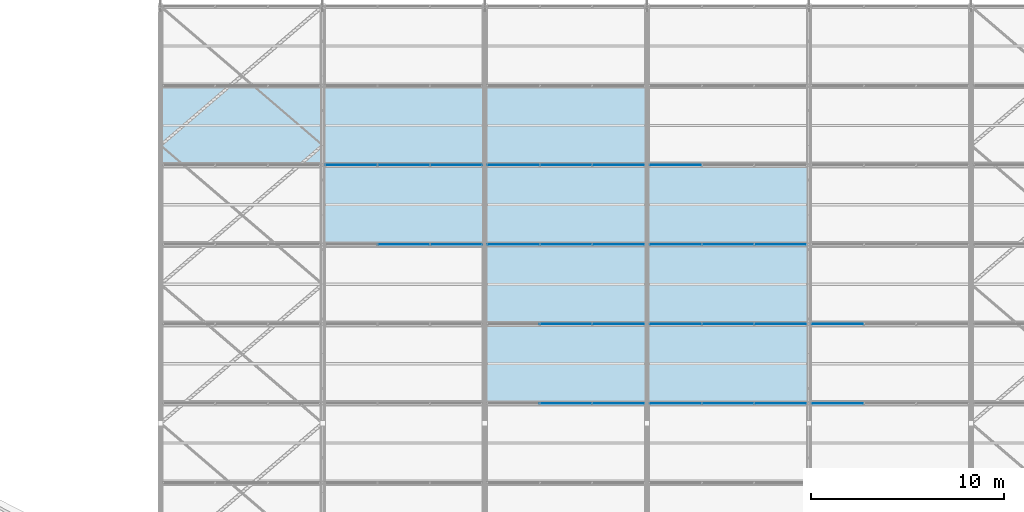
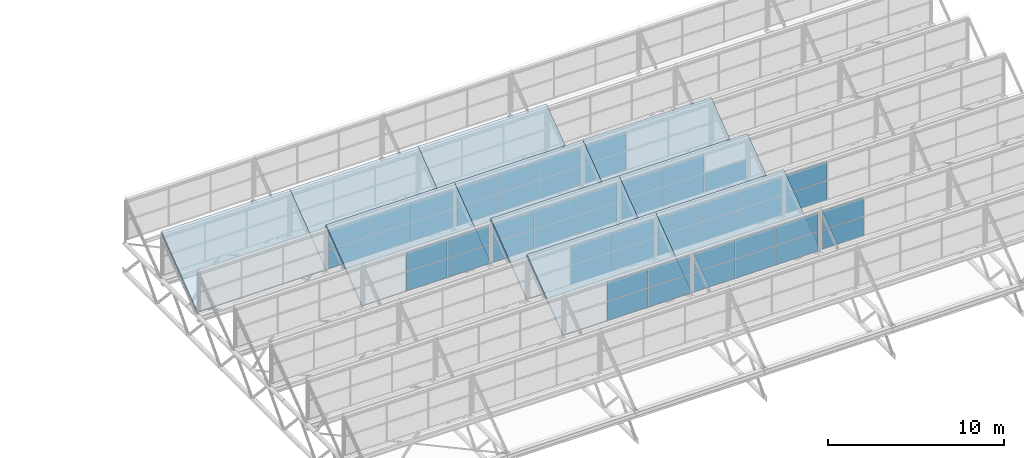
# One storey, part 107 of 134: 53 plates, 10 slabs, 12 elements without a shape of their own.
"""IFC4 building model written with IfcOpenShell, lengths in metres."""

from ifc_helpers import new_model, si_unit, derived_unit, direction, frame, origin, origin_2d, place, context, subcontext, project, spatial, polyline, rectangle, outline, extrude, material, layer, layer_set, type_object, element, aggregate, save


model = new_model("IFC4")

# Units and contexts
model_context = context("Model", 3, precision=1e-05, world=origin(), true_north=direction((0.0, 1.0)))
body_context = subcontext(model_context, "Body", "Model", "MODEL_VIEW")
ifc_project = project(units=[si_unit("LENGTHUNIT", "METRE"), si_unit("AREAUNIT", "SQUARE_METRE"), si_unit("VOLUMEUNIT", "CUBIC_METRE"), si_unit("PLANEANGLEUNIT", "RADIAN"), si_unit("MASSUNIT", "GRAM", prefix="KILO"), derived_unit("THERMALTRANSMITTANCEUNIT", [(si_unit("MASSUNIT", "GRAM", prefix="KILO"), 1), (si_unit("TIMEUNIT", "SECOND"), -3), (si_unit("THERMODYNAMICTEMPERATUREUNIT", "KELVIN"), -1)])], contexts=[model_context])

# Site, building, storey
site_placement = place(None, origin())
site = spatial("IfcSite", under=ifc_project, at=site_placement, CompositionType="ELEMENT")
building_placement = place(site_placement, origin())
building = spatial("IfcBuilding", under=site, at=building_placement, Name="Kharveza Railside Sports Centre", CompositionType="ELEMENT")
storey_placement = place(building_placement, frame((0.0, 0.0, 12.89990234375)))
storey = spatial("IfcBuildingStorey", under=building, at=storey_placement, Name="L03", CompositionType="ELEMENT", Elevation=12.89990234375)

# Curtain wall, plates
ifc_material_1 = material(Name="Low-E solar-control laminated glass", Category="glass")
curtain_wall_type = type_object("IfcCurtainWallType", Name="CW-NL02", PredefinedType="NOTDEFINED", material=ifc_material_1)
curtain_wall_1_placement = place(storey_placement, origin())
curtain_wall_1 = element("IfcCurtainWall", 1, at=curtain_wall_1_placement, inside=storey, type_object=curtain_wall_type, Name="CW-V2NL-2-3", PredefinedType="NOTDEFINED")
ifc_layer_1 = layer(ifc_material_1, 0.033935546875, Name="Low-E solar-control laminated glass")
ifc_layer_set_1 = layer_set([ifc_layer_1], Name="Low-E solar-control laminated glass")
plate_type = type_object("IfcPlateType", Name="PL-CP06", PredefinedType="CURTAIN_PANEL", material=ifc_layer_set_1)
plate_1_placement = place(storey_placement, frame((113.39990234375, 87.4287109375, 2.219970703125), z_axis=(0.0, 0.0, 1.0), x_axis=(1.0, 0.0, 0.0)))
plate_1 = element("IfcPlate", 2, at=plate_1_placement, type_object=plate_type, Name="CW-V2NL-2-3-PN21", PredefinedType="CURTAIN_PANEL", context=body_context, shape_type="SweptSolid", body=[
    extrude(rectangle(XDim=2.679931640625, YDim=0.033935546875, at=origin_2d()), origin(), (0.0, 0.0, 1.0), 1.31005859375),
])
plate_2_placement = place(storey_placement, frame((113.39990234375, 87.4287109375, 3.570068359375), z_axis=(0.0, 0.0, 1.0), x_axis=(1.0, 0.0, 0.0)))
plate_2 = element("IfcPlate", 3, at=plate_2_placement, type_object=plate_type, Name="CW-V2NL-2-3-PN22", PredefinedType="CURTAIN_PANEL", context=body_context, shape_type="SweptSolid", body=[
    extrude(rectangle(XDim=2.679931640625, YDim=0.033935546875, at=origin_2d()), origin(), (0.0, 0.0, 1.0), 1.31005859375),
])
plate_3_placement = place(storey_placement, frame((116.1201171875, 87.4287109375, 2.219970703125), z_axis=(0.0, 0.0, 1.0), x_axis=(1.0, 0.0, 0.0)))
plate_3 = element("IfcPlate", 4, at=plate_3_placement, type_object=plate_type, Name="CW-V2NL-2-3-PN31", PredefinedType="CURTAIN_PANEL", context=body_context, shape_type="SweptSolid", body=[
    extrude(rectangle(XDim=2.679931640625, YDim=0.033935546875, at=origin_2d()), origin(), (0.0, 0.0, 1.0), 1.31005859375),
])
plate_4_placement = place(storey_placement, frame((116.1201171875, 87.4287109375, 3.570068359375), z_axis=(0.0, 0.0, 1.0), x_axis=(1.0, 0.0, 0.0)))
plate_4 = element("IfcPlate", 5, at=plate_4_placement, type_object=plate_type, Name="CW-V2NL-2-3-PN32", PredefinedType="CURTAIN_PANEL", context=body_context, shape_type="SweptSolid", body=[
    extrude(rectangle(XDim=2.679931640625, YDim=0.033935546875, at=origin_2d()), origin(), (0.0, 0.0, 1.0), 1.31005859375),
])
aggregate(curtain_wall_1, [plate_1, plate_2, plate_3, plate_4])

curtain_wall_2_placement = place(storey_placement, origin())
curtain_wall_2 = element("IfcCurtainWall", 6, at=curtain_wall_2_placement, inside=storey, type_object=curtain_wall_type, Name="CW-V2NL-2-4", PredefinedType="NOTDEFINED")
plate_5_placement = place(storey_placement, frame((119.080078125, 87.4287109375, 2.219970703125), z_axis=(0.0, 0.0, 1.0), x_axis=(1.0, 0.0, 0.0)))
plate_5 = element("IfcPlate", 7, at=plate_5_placement, type_object=plate_type, Name="CW-V2NL-2-4-PN11", PredefinedType="CURTAIN_PANEL", context=body_context, shape_type="SweptSolid", body=[
    extrude(rectangle(XDim=2.679931640625, YDim=0.033935546875, at=origin_2d()), origin(), (0.0, 0.0, 1.0), 1.31005859375),
])
plate_6_placement = place(storey_placement, frame((119.080078125, 87.4287109375, 3.570068359375), z_axis=(0.0, 0.0, 1.0), x_axis=(1.0, 0.0, 0.0)))
plate_6 = element("IfcPlate", 8, at=plate_6_placement, type_object=plate_type, Name="CW-V2NL-2-4-PN12", PredefinedType="CURTAIN_PANEL", context=body_context, shape_type="SweptSolid", body=[
    extrude(rectangle(XDim=2.679931640625, YDim=0.033935546875, at=origin_2d()), origin(), (0.0, 0.0, 1.0), 1.31005859375),
])
plate_7_placement = place(storey_placement, frame((121.800048828125, 87.4287109375, 2.219970703125), z_axis=(0.0, 0.0, 1.0), x_axis=(1.0, 0.0, 0.0)))
plate_7 = element("IfcPlate", 9, at=plate_7_placement, type_object=plate_type, Name="CW-V2NL-2-4-PN21", PredefinedType="CURTAIN_PANEL", context=body_context, shape_type="SweptSolid", body=[
    extrude(rectangle(XDim=2.679931640625, YDim=0.033935546875, at=origin_2d()), origin(), (0.0, 0.0, 1.0), 1.31005859375),
])
plate_8_placement = place(storey_placement, frame((121.800048828125, 87.4287109375, 3.570068359375), z_axis=(0.0, 0.0, 1.0), x_axis=(1.0, 0.0, 0.0)))
plate_8 = element("IfcPlate", 10, at=plate_8_placement, type_object=plate_type, Name="CW-V2NL-2-4-PN22", PredefinedType="CURTAIN_PANEL", context=body_context, shape_type="SweptSolid", body=[
    extrude(rectangle(XDim=2.679931640625, YDim=0.033935546875, at=origin_2d()), origin(), (0.0, 0.0, 1.0), 1.31005859375),
])
plate_9_placement = place(storey_placement, frame((124.52001953125, 87.4287109375, 2.219970703125), z_axis=(0.0, 0.0, 1.0), x_axis=(1.0, 0.0, 0.0)))
plate_9 = element("IfcPlate", 11, at=plate_9_placement, type_object=plate_type, Name="CW-V2NL-2-4-PN31", PredefinedType="CURTAIN_PANEL", context=body_context, shape_type="SweptSolid", body=[
    extrude(rectangle(XDim=2.679931640625, YDim=0.033935546875, at=origin_2d()), origin(), (0.0, 0.0, 1.0), 1.31005859375),
])
plate_10_placement = place(storey_placement, frame((124.52001953125, 87.4287109375, 3.570068359375), z_axis=(0.0, 0.0, 1.0), x_axis=(1.0, 0.0, 0.0)))
plate_10 = element("IfcPlate", 12, at=plate_10_placement, type_object=plate_type, Name="CW-V2NL-2-4-PN32", PredefinedType="CURTAIN_PANEL", context=body_context, shape_type="SweptSolid", body=[
    extrude(rectangle(XDim=2.679931640625, YDim=0.033935546875, at=origin_2d()), origin(), (0.0, 0.0, 1.0), 1.31005859375),
])
aggregate(curtain_wall_2, [plate_5, plate_6, plate_7, plate_8, plate_9, plate_10])

curtain_wall_3_placement = place(storey_placement, origin())
curtain_wall_3 = element("IfcCurtainWall", 13, at=curtain_wall_3_placement, inside=storey, type_object=curtain_wall_type, Name="CW-V2NL-2-5", PredefinedType="NOTDEFINED")
plate_11_placement = place(storey_placement, frame((127.47998046875, 87.4287109375, 2.219970703125), z_axis=(0.0, 0.0, 1.0), x_axis=(1.0, 0.0, 0.0)))
plate_11 = element("IfcPlate", 14, at=plate_11_placement, type_object=plate_type, Name="CW-V2NL-2-5-PN11", PredefinedType="CURTAIN_PANEL", context=body_context, shape_type="SweptSolid", body=[
    extrude(rectangle(XDim=2.679931640625, YDim=0.033935546875, at=origin_2d()), origin(), (0.0, 0.0, 1.0), 1.31005859375),
])
plate_12_placement = place(storey_placement, frame((127.47998046875, 87.4287109375, 3.570068359375), z_axis=(0.0, 0.0, 1.0), x_axis=(1.0, 0.0, 0.0)))
plate_12 = element("IfcPlate", 15, at=plate_12_placement, type_object=plate_type, Name="CW-V2NL-2-5-PN12", PredefinedType="CURTAIN_PANEL", context=body_context, shape_type="SweptSolid", body=[
    extrude(rectangle(XDim=2.679931640625, YDim=0.033935546875, at=origin_2d()), origin(), (0.0, 0.0, 1.0), 1.31005859375),
])
aggregate(curtain_wall_3, [plate_11, plate_12])

curtain_wall_4_placement = place(storey_placement, origin())
curtain_wall_4 = element("IfcCurtainWall", 16, at=curtain_wall_4_placement, inside=storey, type_object=curtain_wall_type, Name="CW-V2NL-3-3", PredefinedType="NOTDEFINED")
plate_13_placement = place(storey_placement, frame((113.39990234375, 91.54296875, 2.219970703125), z_axis=(0.0, 0.0, 1.0), x_axis=(1.0, 0.0, 0.0)))
plate_13 = element("IfcPlate", 17, at=plate_13_placement, type_object=plate_type, Name="CW-V2NL-3-3-PN21", PredefinedType="CURTAIN_PANEL", context=body_context, shape_type="SweptSolid", body=[
    extrude(rectangle(XDim=2.679931640625, YDim=0.033935546875, at=origin_2d()), origin(), (0.0, 0.0, 1.0), 1.31005859375),
])
plate_14_placement = place(storey_placement, frame((113.39990234375, 91.54296875, 3.570068359375), z_axis=(0.0, 0.0, 1.0), x_axis=(1.0, 0.0, 0.0)))
plate_14 = element("IfcPlate", 18, at=plate_14_placement, type_object=plate_type, Name="CW-V2NL-3-3-PN22", PredefinedType="CURTAIN_PANEL", context=body_context, shape_type="SweptSolid", body=[
    extrude(rectangle(XDim=2.679931640625, YDim=0.033935546875, at=origin_2d()), origin(), (0.0, 0.0, 1.0), 1.31005859375),
])
plate_15_placement = place(storey_placement, frame((116.1201171875, 91.54296875, 2.219970703125), z_axis=(0.0, 0.0, 1.0), x_axis=(1.0, 0.0, 0.0)))
plate_15 = element("IfcPlate", 19, at=plate_15_placement, type_object=plate_type, Name="CW-V2NL-3-3-PN31", PredefinedType="CURTAIN_PANEL", context=body_context, shape_type="SweptSolid", body=[
    extrude(rectangle(XDim=2.679931640625, YDim=0.033935546875, at=origin_2d()), origin(), (0.0, 0.0, 1.0), 1.31005859375),
])
plate_16_placement = place(storey_placement, frame((116.1201171875, 91.54296875, 3.570068359375), z_axis=(0.0, 0.0, 1.0), x_axis=(1.0, 0.0, 0.0)))
plate_16 = element("IfcPlate", 20, at=plate_16_placement, type_object=plate_type, Name="CW-V2NL-3-3-PN32", PredefinedType="CURTAIN_PANEL", context=body_context, shape_type="SweptSolid", body=[
    extrude(rectangle(XDim=2.679931640625, YDim=0.033935546875, at=origin_2d()), origin(), (0.0, 0.0, 1.0), 1.31005859375),
])
aggregate(curtain_wall_4, [plate_13, plate_14, plate_15, plate_16])

curtain_wall_5_placement = place(storey_placement, origin())
curtain_wall_5 = element("IfcCurtainWall", 21, at=curtain_wall_5_placement, inside=storey, type_object=curtain_wall_type, Name="CW-V2NL-3-4", PredefinedType="NOTDEFINED")
plate_17_placement = place(storey_placement, frame((119.080078125, 91.54296875, 2.219970703125), z_axis=(0.0, 0.0, 1.0), x_axis=(1.0, 0.0, 0.0)))
plate_17 = element("IfcPlate", 22, at=plate_17_placement, type_object=plate_type, Name="CW-V2NL-3-4-PN11", PredefinedType="CURTAIN_PANEL", context=body_context, shape_type="SweptSolid", body=[
    extrude(rectangle(XDim=2.679931640625, YDim=0.033935546875, at=origin_2d()), origin(), (0.0, 0.0, 1.0), 1.31005859375),
])
plate_18_placement = place(storey_placement, frame((119.080078125, 91.54296875, 3.570068359375), z_axis=(0.0, 0.0, 1.0), x_axis=(1.0, 0.0, 0.0)))
plate_18 = element("IfcPlate", 23, at=plate_18_placement, type_object=plate_type, Name="CW-V2NL-3-4-PN12", PredefinedType="CURTAIN_PANEL", context=body_context, shape_type="SweptSolid", body=[
    extrude(rectangle(XDim=2.679931640625, YDim=0.033935546875, at=origin_2d()), origin(), (0.0, 0.0, 1.0), 1.31005859375),
])
plate_19_placement = place(storey_placement, frame((121.800048828125, 91.54296875, 2.219970703125), z_axis=(0.0, 0.0, 1.0), x_axis=(1.0, 0.0, 0.0)))
plate_19 = element("IfcPlate", 24, at=plate_19_placement, type_object=plate_type, Name="CW-V2NL-3-4-PN21", PredefinedType="CURTAIN_PANEL", context=body_context, shape_type="SweptSolid", body=[
    extrude(rectangle(XDim=2.679931640625, YDim=0.033935546875, at=origin_2d()), origin(), (0.0, 0.0, 1.0), 1.31005859375),
])
plate_20_placement = place(storey_placement, frame((121.800048828125, 91.54296875, 3.570068359375), z_axis=(0.0, 0.0, 1.0), x_axis=(1.0, 0.0, 0.0)))
plate_20 = element("IfcPlate", 25, at=plate_20_placement, type_object=plate_type, Name="CW-V2NL-3-4-PN22", PredefinedType="CURTAIN_PANEL", context=body_context, shape_type="SweptSolid", body=[
    extrude(rectangle(XDim=2.679931640625, YDim=0.033935546875, at=origin_2d()), origin(), (0.0, 0.0, 1.0), 1.31005859375),
])
plate_21_placement = place(storey_placement, frame((124.52001953125, 91.54296875, 2.219970703125), z_axis=(0.0, 0.0, 1.0), x_axis=(1.0, 0.0, 0.0)))
plate_21 = element("IfcPlate", 26, at=plate_21_placement, type_object=plate_type, Name="CW-V2NL-3-4-PN31", PredefinedType="CURTAIN_PANEL", context=body_context, shape_type="SweptSolid", body=[
    extrude(rectangle(XDim=2.679931640625, YDim=0.033935546875, at=origin_2d()), origin(), (0.0, 0.0, 1.0), 1.31005859375),
])
plate_22_placement = place(storey_placement, frame((124.52001953125, 91.54296875, 3.570068359375), z_axis=(0.0, 0.0, 1.0), x_axis=(1.0, 0.0, 0.0)))
plate_22 = element("IfcPlate", 27, at=plate_22_placement, type_object=plate_type, Name="CW-V2NL-3-4-PN32", PredefinedType="CURTAIN_PANEL", context=body_context, shape_type="SweptSolid", body=[
    extrude(rectangle(XDim=2.679931640625, YDim=0.033935546875, at=origin_2d()), origin(), (0.0, 0.0, 1.0), 1.31005859375),
])
aggregate(curtain_wall_5, [plate_17, plate_18, plate_19, plate_20, plate_21, plate_22])

curtain_wall_6_placement = place(storey_placement, origin())
curtain_wall_6 = element("IfcCurtainWall", 28, at=curtain_wall_6_placement, inside=storey, type_object=curtain_wall_type, Name="CW-V2NL-3-5", PredefinedType="NOTDEFINED")
plate_23_placement = place(storey_placement, frame((127.47998046875, 91.54296875, 2.219970703125), z_axis=(0.0, 0.0, 1.0), x_axis=(1.0, 0.0, 0.0)))
plate_23 = element("IfcPlate", 29, at=plate_23_placement, type_object=plate_type, Name="CW-V2NL-3-5-PN11", PredefinedType="CURTAIN_PANEL", context=body_context, shape_type="SweptSolid", body=[
    extrude(rectangle(XDim=2.679931640625, YDim=0.033935546875, at=origin_2d()), origin(), (0.0, 0.0, 1.0), 1.31005859375),
])
plate_24_placement = place(storey_placement, frame((127.47998046875, 91.54296875, 3.570068359375), z_axis=(0.0, 0.0, 1.0), x_axis=(1.0, 0.0, 0.0)))
plate_24 = element("IfcPlate", 30, at=plate_24_placement, type_object=plate_type, Name="CW-V2NL-3-5-PN12", PredefinedType="CURTAIN_PANEL", context=body_context, shape_type="SweptSolid", body=[
    extrude(rectangle(XDim=2.679931640625, YDim=0.033935546875, at=origin_2d()), origin(), (0.0, 0.0, 1.0), 1.31005859375),
])
aggregate(curtain_wall_6, [plate_23, plate_24])

curtain_wall_7_placement = place(storey_placement, origin())
curtain_wall_7 = element("IfcCurtainWall", 31, at=curtain_wall_7_placement, inside=storey, type_object=curtain_wall_type, Name="CW-V2NL-4-2", PredefinedType="NOTDEFINED")
plate_25_placement = place(storey_placement, frame((105.0, 95.656982421875, 2.219970703125), z_axis=(0.0, 0.0, 1.0), x_axis=(1.0, 0.0, 0.0)))
plate_25 = element("IfcPlate", 32, at=plate_25_placement, type_object=plate_type, Name="CW-V2NL-4-2-PN21", PredefinedType="CURTAIN_PANEL", context=body_context, shape_type="SweptSolid", body=[
    extrude(rectangle(XDim=2.679931640625, YDim=0.033935546875, at=origin_2d()), origin(), (0.0, 0.0, 1.0), 1.31005859375),
])
plate_26_placement = place(storey_placement, frame((105.0, 95.656982421875, 3.570068359375), z_axis=(0.0, 0.0, 1.0), x_axis=(1.0, 0.0, 0.0)))
plate_26 = element("IfcPlate", 33, at=plate_26_placement, type_object=plate_type, Name="CW-V2NL-4-2-PN22", PredefinedType="CURTAIN_PANEL", context=body_context, shape_type="SweptSolid", body=[
    extrude(rectangle(XDim=2.679931640625, YDim=0.033935546875, at=origin_2d()), origin(), (0.0, 0.0, 1.0), 1.31005859375),
])
plate_27_placement = place(storey_placement, frame((107.719970703125, 95.656982421875, 2.219970703125), z_axis=(0.0, 0.0, 1.0), x_axis=(1.0, 0.0, 0.0)))
plate_27 = element("IfcPlate", 34, at=plate_27_placement, type_object=plate_type, Name="CW-V2NL-4-2-PN31", PredefinedType="CURTAIN_PANEL", context=body_context, shape_type="SweptSolid", body=[
    extrude(rectangle(XDim=2.679931640625, YDim=0.033935546875, at=origin_2d()), origin(), (0.0, 0.0, 1.0), 1.31005859375),
])
plate_28_placement = place(storey_placement, frame((107.719970703125, 95.656982421875, 3.570068359375), z_axis=(0.0, 0.0, 1.0), x_axis=(1.0, 0.0, 0.0)))
plate_28 = element("IfcPlate", 35, at=plate_28_placement, type_object=plate_type, Name="CW-V2NL-4-2-PN32", PredefinedType="CURTAIN_PANEL", context=body_context, shape_type="SweptSolid", body=[
    extrude(rectangle(XDim=2.679931640625, YDim=0.033935546875, at=origin_2d()), origin(), (0.0, 0.0, 1.0), 1.31005859375),
])
aggregate(curtain_wall_7, [plate_25, plate_26, plate_27, plate_28])

curtain_wall_8_placement = place(storey_placement, origin())
curtain_wall_8 = element("IfcCurtainWall", 36, at=curtain_wall_8_placement, inside=storey, type_object=curtain_wall_type, Name="CW-V2NL-4-3", PredefinedType="NOTDEFINED")
plate_29_placement = place(storey_placement, frame((110.679931640625, 95.656982421875, 2.219970703125), z_axis=(0.0, 0.0, 1.0), x_axis=(1.0, 0.0, 0.0)))
plate_29 = element("IfcPlate", 37, at=plate_29_placement, type_object=plate_type, Name="CW-V2NL-4-3-PN11", PredefinedType="CURTAIN_PANEL", context=body_context, shape_type="SweptSolid", body=[
    extrude(rectangle(XDim=2.679931640625, YDim=0.033935546875, at=origin_2d()), origin(), (0.0, 0.0, 1.0), 1.31005859375),
])
plate_30_placement = place(storey_placement, frame((110.679931640625, 95.656982421875, 3.570068359375), z_axis=(0.0, 0.0, 1.0), x_axis=(1.0, 0.0, 0.0)))
plate_30 = element("IfcPlate", 38, at=plate_30_placement, type_object=plate_type, Name="CW-V2NL-4-3-PN12", PredefinedType="CURTAIN_PANEL", context=body_context, shape_type="SweptSolid", body=[
    extrude(rectangle(XDim=2.679931640625, YDim=0.033935546875, at=origin_2d()), origin(), (0.0, 0.0, 1.0), 1.31005859375),
])
plate_31_placement = place(storey_placement, frame((113.39990234375, 95.656982421875, 2.219970703125), z_axis=(0.0, 0.0, 1.0), x_axis=(1.0, 0.0, 0.0)))
plate_31 = element("IfcPlate", 39, at=plate_31_placement, type_object=plate_type, Name="CW-V2NL-4-3-PN21", PredefinedType="CURTAIN_PANEL", context=body_context, shape_type="SweptSolid", body=[
    extrude(rectangle(XDim=2.679931640625, YDim=0.033935546875, at=origin_2d()), origin(), (0.0, 0.0, 1.0), 1.31005859375),
])
plate_32_placement = place(storey_placement, frame((113.39990234375, 95.656982421875, 3.570068359375), z_axis=(0.0, 0.0, 1.0), x_axis=(1.0, 0.0, 0.0)))
plate_32 = element("IfcPlate", 40, at=plate_32_placement, type_object=plate_type, Name="CW-V2NL-4-3-PN22", PredefinedType="CURTAIN_PANEL", context=body_context, shape_type="SweptSolid", body=[
    extrude(rectangle(XDim=2.679931640625, YDim=0.033935546875, at=origin_2d()), origin(), (0.0, 0.0, 1.0), 1.31005859375),
])
plate_33_placement = place(storey_placement, frame((116.1201171875, 95.656982421875, 2.219970703125), z_axis=(0.0, 0.0, 1.0), x_axis=(1.0, 0.0, 0.0)))
plate_33 = element("IfcPlate", 41, at=plate_33_placement, type_object=plate_type, Name="CW-V2NL-4-3-PN31", PredefinedType="CURTAIN_PANEL", context=body_context, shape_type="SweptSolid", body=[
    extrude(rectangle(XDim=2.679931640625, YDim=0.033935546875, at=origin_2d()), origin(), (0.0, 0.0, 1.0), 1.31005859375),
])
plate_34_placement = place(storey_placement, frame((116.1201171875, 95.656982421875, 3.570068359375), z_axis=(0.0, 0.0, 1.0), x_axis=(1.0, 0.0, 0.0)))
plate_34 = element("IfcPlate", 42, at=plate_34_placement, type_object=plate_type, Name="CW-V2NL-4-3-PN32", PredefinedType="CURTAIN_PANEL", context=body_context, shape_type="SweptSolid", body=[
    extrude(rectangle(XDim=2.679931640625, YDim=0.033935546875, at=origin_2d()), origin(), (0.0, 0.0, 1.0), 1.31005859375),
])
aggregate(curtain_wall_8, [plate_29, plate_30, plate_31, plate_32, plate_33, plate_34])

curtain_wall_9_placement = place(storey_placement, origin())
curtain_wall_9 = element("IfcCurtainWall", 43, at=curtain_wall_9_placement, inside=storey, type_object=curtain_wall_type, Name="CW-V2NL-4-4", PredefinedType="NOTDEFINED")
plate_35_placement = place(storey_placement, frame((119.080078125, 95.656982421875, 2.219970703125), z_axis=(0.0, 0.0, 1.0), x_axis=(1.0, 0.0, 0.0)))
plate_35 = element("IfcPlate", 44, at=plate_35_placement, type_object=plate_type, Name="CW-V2NL-4-4-PN11", PredefinedType="CURTAIN_PANEL", context=body_context, shape_type="SweptSolid", body=[
    extrude(rectangle(XDim=2.679931640625, YDim=0.033935546875, at=origin_2d()), origin(), (0.0, 0.0, 1.0), 1.31005859375),
])
plate_36_placement = place(storey_placement, frame((119.080078125, 95.656982421875, 3.570068359375), z_axis=(0.0, 0.0, 1.0), x_axis=(1.0, 0.0, 0.0)))
plate_36 = element("IfcPlate", 45, at=plate_36_placement, type_object=plate_type, Name="CW-V2NL-4-4-PN12", PredefinedType="CURTAIN_PANEL", context=body_context, shape_type="SweptSolid", body=[
    extrude(rectangle(XDim=2.679931640625, YDim=0.033935546875, at=origin_2d()), origin(), (0.0, 0.0, 1.0), 1.31005859375),
])
plate_37_placement = place(storey_placement, frame((121.800048828125, 95.656982421875, 2.219970703125), z_axis=(0.0, 0.0, 1.0), x_axis=(1.0, 0.0, 0.0)))
plate_37 = element("IfcPlate", 46, at=plate_37_placement, type_object=plate_type, Name="CW-V2NL-4-4-PN21", PredefinedType="CURTAIN_PANEL", context=body_context, shape_type="SweptSolid", body=[
    extrude(rectangle(XDim=2.679931640625, YDim=0.033935546875, at=origin_2d()), origin(), (0.0, 0.0, 1.0), 1.31005859375),
])
plate_38_placement = place(storey_placement, frame((121.800048828125, 95.656982421875, 3.570068359375), z_axis=(0.0, 0.0, 1.0), x_axis=(1.0, 0.0, 0.0)))
plate_38 = element("IfcPlate", 47, at=plate_38_placement, type_object=plate_type, Name="CW-V2NL-4-4-PN22", PredefinedType="CURTAIN_PANEL", context=body_context, shape_type="SweptSolid", body=[
    extrude(rectangle(XDim=2.679931640625, YDim=0.033935546875, at=origin_2d()), origin(), (0.0, 0.0, 1.0), 1.31005859375),
])
plate_39_placement = place(storey_placement, frame((124.52001953125, 95.656982421875, 2.219970703125), z_axis=(0.0, 0.0, 1.0), x_axis=(1.0, 0.0, 0.0)))
plate_39 = element("IfcPlate", 48, at=plate_39_placement, type_object=plate_type, Name="CW-V2NL-4-4-PN31", PredefinedType="CURTAIN_PANEL", context=body_context, shape_type="SweptSolid", body=[
    extrude(rectangle(XDim=2.679931640625, YDim=0.033935546875, at=origin_2d()), origin(), (0.0, 0.0, 1.0), 1.31005859375),
])
aggregate(curtain_wall_9, [plate_35, plate_36, plate_37, plate_38, plate_39])

curtain_wall_10_placement = place(storey_placement, origin())
curtain_wall_10 = element("IfcCurtainWall", 49, at=curtain_wall_10_placement, inside=storey, type_object=curtain_wall_type, Name="CW-V2NL-5-2", PredefinedType="NOTDEFINED")
plate_40_placement = place(storey_placement, frame((102.280029296875, 99.771484375, 2.219970703125), z_axis=(0.0, 0.0, 1.0), x_axis=(1.0, 0.0, 0.0)))
plate_40 = element("IfcPlate", 50, at=plate_40_placement, type_object=plate_type, Name="CW-V2NL-5-2-PN11", PredefinedType="CURTAIN_PANEL", context=body_context, shape_type="SweptSolid", body=[
    extrude(rectangle(XDim=2.679931640625, YDim=0.033935546875, at=origin_2d()), origin(), (0.0, 0.0, 1.0), 1.31005859375),
])
plate_41_placement = place(storey_placement, frame((102.280029296875, 99.771484375, 3.570068359375), z_axis=(0.0, 0.0, 1.0), x_axis=(1.0, 0.0, 0.0)))
plate_41 = element("IfcPlate", 51, at=plate_41_placement, type_object=plate_type, Name="CW-V2NL-5-2-PN12", PredefinedType="CURTAIN_PANEL", context=body_context, shape_type="SweptSolid", body=[
    extrude(rectangle(XDim=2.679931640625, YDim=0.033935546875, at=origin_2d()), origin(), (0.0, 0.0, 1.0), 1.31005859375),
])
plate_42_placement = place(storey_placement, frame((105.0, 99.771484375, 2.219970703125), z_axis=(0.0, 0.0, 1.0), x_axis=(1.0, 0.0, 0.0)))
plate_42 = element("IfcPlate", 52, at=plate_42_placement, type_object=plate_type, Name="CW-V2NL-5-2-PN21", PredefinedType="CURTAIN_PANEL", context=body_context, shape_type="SweptSolid", body=[
    extrude(rectangle(XDim=2.679931640625, YDim=0.033935546875, at=origin_2d()), origin(), (0.0, 0.0, 1.0), 1.31005859375),
])
plate_43_placement = place(storey_placement, frame((105.0, 99.771484375, 3.570068359375), z_axis=(0.0, 0.0, 1.0), x_axis=(1.0, 0.0, 0.0)))
plate_43 = element("IfcPlate", 53, at=plate_43_placement, type_object=plate_type, Name="CW-V2NL-5-2-PN22", PredefinedType="CURTAIN_PANEL", context=body_context, shape_type="SweptSolid", body=[
    extrude(rectangle(XDim=2.679931640625, YDim=0.033935546875, at=origin_2d()), origin(), (0.0, 0.0, 1.0), 1.31005859375),
])
plate_44_placement = place(storey_placement, frame((107.719970703125, 99.771484375, 2.219970703125), z_axis=(0.0, 0.0, 1.0), x_axis=(1.0, 0.0, 0.0)))
plate_44 = element("IfcPlate", 54, at=plate_44_placement, type_object=plate_type, Name="CW-V2NL-5-2-PN31", PredefinedType="CURTAIN_PANEL", context=body_context, shape_type="SweptSolid", body=[
    extrude(rectangle(XDim=2.679931640625, YDim=0.033935546875, at=origin_2d()), origin(), (0.0, 0.0, 1.0), 1.31005859375),
])
plate_45_placement = place(storey_placement, frame((107.719970703125, 99.771484375, 3.570068359375), z_axis=(0.0, 0.0, 1.0), x_axis=(1.0, 0.0, 0.0)))
plate_45 = element("IfcPlate", 55, at=plate_45_placement, type_object=plate_type, Name="CW-V2NL-5-2-PN32", PredefinedType="CURTAIN_PANEL", context=body_context, shape_type="SweptSolid", body=[
    extrude(rectangle(XDim=2.679931640625, YDim=0.033935546875, at=origin_2d()), origin(), (0.0, 0.0, 1.0), 1.31005859375),
])
aggregate(curtain_wall_10, [plate_40, plate_41, plate_42, plate_43, plate_44, plate_45])

curtain_wall_11_placement = place(storey_placement, origin())
curtain_wall_11 = element("IfcCurtainWall", 56, at=curtain_wall_11_placement, inside=storey, type_object=curtain_wall_type, Name="CW-V2NL-5-3", PredefinedType="NOTDEFINED")
plate_46_placement = place(storey_placement, frame((110.679931640625, 99.771484375, 2.219970703125), z_axis=(0.0, 0.0, 1.0), x_axis=(1.0, 0.0, 0.0)))
plate_46 = element("IfcPlate", 57, at=plate_46_placement, type_object=plate_type, Name="CW-V2NL-5-3-PN11", PredefinedType="CURTAIN_PANEL", context=body_context, shape_type="SweptSolid", body=[
    extrude(rectangle(XDim=2.679931640625, YDim=0.033935546875, at=origin_2d()), origin(), (0.0, 0.0, 1.0), 1.31005859375),
])
plate_47_placement = place(storey_placement, frame((110.679931640625, 99.771484375, 3.570068359375), z_axis=(0.0, 0.0, 1.0), x_axis=(1.0, 0.0, 0.0)))
plate_47 = element("IfcPlate", 58, at=plate_47_placement, type_object=plate_type, Name="CW-V2NL-5-3-PN12", PredefinedType="CURTAIN_PANEL", context=body_context, shape_type="SweptSolid", body=[
    extrude(rectangle(XDim=2.679931640625, YDim=0.033935546875, at=origin_2d()), origin(), (0.0, 0.0, 1.0), 1.31005859375),
])
plate_48_placement = place(storey_placement, frame((113.39990234375, 99.771484375, 2.219970703125), z_axis=(0.0, 0.0, 1.0), x_axis=(1.0, 0.0, 0.0)))
plate_48 = element("IfcPlate", 59, at=plate_48_placement, type_object=plate_type, Name="CW-V2NL-5-3-PN21", PredefinedType="CURTAIN_PANEL", context=body_context, shape_type="SweptSolid", body=[
    extrude(rectangle(XDim=2.679931640625, YDim=0.033935546875, at=origin_2d()), origin(), (0.0, 0.0, 1.0), 1.31005859375),
])
plate_49_placement = place(storey_placement, frame((113.39990234375, 99.771484375, 3.570068359375), z_axis=(0.0, 0.0, 1.0), x_axis=(1.0, 0.0, 0.0)))
plate_49 = element("IfcPlate", 60, at=plate_49_placement, type_object=plate_type, Name="CW-V2NL-5-3-PN22", PredefinedType="CURTAIN_PANEL", context=body_context, shape_type="SweptSolid", body=[
    extrude(rectangle(XDim=2.679931640625, YDim=0.033935546875, at=origin_2d()), origin(), (0.0, 0.0, 1.0), 1.31005859375),
])
plate_50_placement = place(storey_placement, frame((116.1201171875, 99.771484375, 2.219970703125), z_axis=(0.0, 0.0, 1.0), x_axis=(1.0, 0.0, 0.0)))
plate_50 = element("IfcPlate", 61, at=plate_50_placement, type_object=plate_type, Name="CW-V2NL-5-3-PN31", PredefinedType="CURTAIN_PANEL", context=body_context, shape_type="SweptSolid", body=[
    extrude(rectangle(XDim=2.679931640625, YDim=0.033935546875, at=origin_2d()), origin(), (0.0, 0.0, 1.0), 1.31005859375),
])
plate_51_placement = place(storey_placement, frame((116.1201171875, 99.771484375, 3.570068359375), z_axis=(0.0, 0.0, 1.0), x_axis=(1.0, 0.0, 0.0)))
plate_51 = element("IfcPlate", 62, at=plate_51_placement, type_object=plate_type, Name="CW-V2NL-5-3-PN32", PredefinedType="CURTAIN_PANEL", context=body_context, shape_type="SweptSolid", body=[
    extrude(rectangle(XDim=2.679931640625, YDim=0.033935546875, at=origin_2d()), origin(), (0.0, 0.0, 1.0), 1.31005859375),
])
aggregate(curtain_wall_11, [plate_46, plate_47, plate_48, plate_49, plate_50, plate_51])

curtain_wall_12_placement = place(storey_placement, origin())
curtain_wall_12 = element("IfcCurtainWall", 63, at=curtain_wall_12_placement, inside=storey, type_object=curtain_wall_type, Name="CW-V2NL-5-4", PredefinedType="NOTDEFINED")
plate_52_placement = place(storey_placement, frame((119.080078125, 99.771484375, 2.219970703125), z_axis=(0.0, 0.0, 1.0), x_axis=(1.0, 0.0, 0.0)))
plate_52 = element("IfcPlate", 64, at=plate_52_placement, type_object=plate_type, Name="CW-V2NL-5-4-PN11", PredefinedType="CURTAIN_PANEL", context=body_context, shape_type="SweptSolid", body=[
    extrude(rectangle(XDim=2.679931640625, YDim=0.033935546875, at=origin_2d()), origin(), (0.0, 0.0, 1.0), 1.31005859375),
])
plate_53_placement = place(storey_placement, frame((119.080078125, 99.771484375, 3.570068359375), z_axis=(0.0, 0.0, 1.0), x_axis=(1.0, 0.0, 0.0)))
plate_53 = element("IfcPlate", 65, at=plate_53_placement, type_object=plate_type, Name="CW-V2NL-5-4-PN12", PredefinedType="CURTAIN_PANEL", context=body_context, shape_type="SweptSolid", body=[
    extrude(rectangle(XDim=2.679931640625, YDim=0.033935546875, at=origin_2d()), origin(), (0.0, 0.0, 1.0), 1.31005859375),
])
aggregate(curtain_wall_12, [plate_52, plate_53])

# Slabs
ifc_material_2 = material(Name="Insulated standing-seam zinc-aluminium roof panel", Category="aluminium")
ifc_layer_2 = layer(ifc_material_2, 0.155029296875, Name="Insulated standing-seam zinc-aluminium roof panel")
ifc_layer_set_2 = layer_set([ifc_layer_2], Name="Insulated standing-seam zinc-aluminium roof panel")
slab_type = type_object("IfcSlabType", Name="SL-RF155", PredefinedType="ROOF", material=ifc_layer_set_2)
slab_1_placement = place(storey_placement, frame((109.199951171875, 87.4287109375, 2.2001953125), z_axis=(0.0, -0.601757803356, 0.798678625042), x_axis=(1.0, 0.0, 0.0)))
element("IfcSlab", 66, at=slab_1_placement, inside=storey, type_object=slab_type, Name="Training Hall Sawtooth Roof Bay 3-3", PredefinedType="ROOF", context=body_context, shape_type="SweptSolid", body=[
    extrude(outline(polyline([(0.0, 0.0), (8.400146484375, 0.0), (8.400146484375, 5.151330815046725), (0.0, 5.151330815046725), (0.0, 0.0)])), origin(), (0.0, 0.0, -1.0), 0.155029296875),
])
slab_2_placement = place(storey_placement, frame((117.60009765625, 87.4287109375, 2.2001953125), z_axis=(0.0, -0.601757803356, 0.798678625042), x_axis=(1.0, 0.0, 0.0)))
element("IfcSlab", 67, at=slab_2_placement, inside=storey, type_object=slab_type, Name="Training Hall Sawtooth Roof Bay 3-4", PredefinedType="ROOF", context=body_context, shape_type="SweptSolid", body=[
    extrude(outline(polyline([(0.0, 0.0), (8.39990234375, 0.0), (8.39990234375, 5.151330815046725), (0.0, 5.151330815046725), (0.0, 0.0)])), origin(), (0.0, 0.0, -1.0), 0.155029296875),
])
slab_3_placement = place(storey_placement, frame((109.199951171875, 91.54296875, 2.2001953125), z_axis=(0.0, -0.601780581912, 0.798661462219), x_axis=(1.0, 0.0, 0.0)))
element("IfcSlab", 68, at=slab_3_placement, inside=storey, type_object=slab_type, Name="Training Hall Sawtooth Roof Bay 4-3", PredefinedType="ROOF", context=body_context, shape_type="SweptSolid", body=[
    extrude(outline(polyline([(0.0, 0.0), (8.400146484375, 0.0), (8.400146484375, 5.151135827243065), (0.0, 5.151135827243065), (0.0, 0.0)])), origin(), (0.0, 0.0, -1.0), 0.155029296875),
])
slab_4_placement = place(storey_placement, frame((117.60009765625, 91.54296875, 2.2001953125), z_axis=(0.0, -0.601780581912, 0.798661462219), x_axis=(1.0, 0.0, 0.0)))
element("IfcSlab", 69, at=slab_4_placement, inside=storey, type_object=slab_type, Name="Training Hall Sawtooth Roof Bay 4-4", PredefinedType="ROOF", context=body_context, shape_type="SweptSolid", body=[
    extrude(outline(polyline([(0.0, 0.0), (8.39990234375, 0.0), (8.39990234375, 5.151135827243065), (0.0, 5.151135827243065), (0.0, 0.0)])), origin(), (0.0, 0.0, -1.0), 0.155029296875),
])
slab_5_placement = place(storey_placement, frame((100.800048828125, 95.656982421875, 2.2001953125), z_axis=(0.0, -0.601735026036, 0.798695785917), x_axis=(1.0, 0.0, 0.0)))
element("IfcSlab", 70, at=slab_5_placement, inside=storey, type_object=slab_type, Name="Training Hall Sawtooth Roof Bay 5-2", PredefinedType="ROOF", context=body_context, shape_type="SweptSolid", body=[
    extrude(outline(polyline([(0.0, 0.0), (8.39990234375, 0.0), (8.39990234375, 5.15152580704029), (0.0, 5.15152580704029), (0.0, 0.0)])), origin(), (0.0, 0.0, -1.0), 0.155029296875),
])
slab_6_placement = place(storey_placement, frame((109.199951171875, 95.656982421875, 2.2001953125), z_axis=(0.0, -0.601735026036, 0.798695785917), x_axis=(1.0, 0.0, 0.0)))
element("IfcSlab", 71, at=slab_6_placement, inside=storey, type_object=slab_type, Name="Training Hall Sawtooth Roof Bay 5-3", PredefinedType="ROOF", context=body_context, shape_type="SweptSolid", body=[
    extrude(outline(polyline([(0.0, 0.0), (8.400146484375, 0.0), (8.400146484375, 5.15152580704029), (0.0, 5.15152580704029), (0.0, 0.0)])), origin(), (0.0, 0.0, -1.0), 0.155029296875),
])
slab_7_placement = place(storey_placement, frame((117.60009765625, 95.656982421875, 2.2001953125), z_axis=(0.0, -0.601735026036, 0.798695785917), x_axis=(1.0, 0.0, 0.0)))
element("IfcSlab", 72, at=slab_7_placement, inside=storey, type_object=slab_type, Name="Training Hall Sawtooth Roof Bay 5-4", PredefinedType="ROOF", context=body_context, shape_type="SweptSolid", body=[
    extrude(outline(polyline([(0.0, 0.0), (8.39990234375, 0.0), (8.39990234375, 5.15152580704029), (0.0, 5.15152580704029), (0.0, 0.0)])), origin(), (0.0, 0.0, -1.0), 0.155029296875),
])
slab_8_placement = place(storey_placement, frame((92.39990234375, 99.771484375, 2.2001953125), z_axis=(0.0, -0.601757803356, 0.798678625042), x_axis=(1.0, 0.0, 0.0)))
element("IfcSlab", 73, at=slab_8_placement, inside=storey, type_object=slab_type, Name="Training Hall Sawtooth Roof Bay 6-1", PredefinedType="ROOF", context=body_context, shape_type="SweptSolid", body=[
    extrude(outline(polyline([(0.0, 0.0), (8.400146484375, 0.0), (8.400146484375, 5.151330815046725), (0.0, 5.151330815046725), (0.0, 0.0)])), origin(), (0.0, 0.0, -1.0), 0.155029296875),
])
slab_9_placement = place(storey_placement, frame((100.800048828125, 99.771484375, 2.2001953125), z_axis=(0.0, -0.601757803356, 0.798678625042), x_axis=(1.0, 0.0, 0.0)))
element("IfcSlab", 74, at=slab_9_placement, inside=storey, type_object=slab_type, Name="Training Hall Sawtooth Roof Bay 6-2", PredefinedType="ROOF", context=body_context, shape_type="SweptSolid", body=[
    extrude(outline(polyline([(0.0, 0.0), (8.39990234375, 0.0), (8.39990234375, 5.151330815046725), (0.0, 5.151330815046725), (0.0, 0.0)])), origin(), (0.0, 0.0, -1.0), 0.155029296875),
])
slab_10_placement = place(storey_placement, frame((109.199951171875, 99.771484375, 2.2001953125), z_axis=(0.0, -0.601757803356, 0.798678625042), x_axis=(1.0, 0.0, 0.0)))
element("IfcSlab", 75, at=slab_10_placement, inside=storey, type_object=slab_type, Name="Training Hall Sawtooth Roof Bay 6-3", PredefinedType="ROOF", context=body_context, shape_type="SweptSolid", body=[
    extrude(outline(polyline([(0.0, 0.0), (8.400146484375, 0.0), (8.400146484375, 5.151330815046725), (0.0, 5.151330815046725), (0.0, 0.0)])), origin(), (0.0, 0.0, -1.0), 0.155029296875),
])

save(model, "model.ifc")
